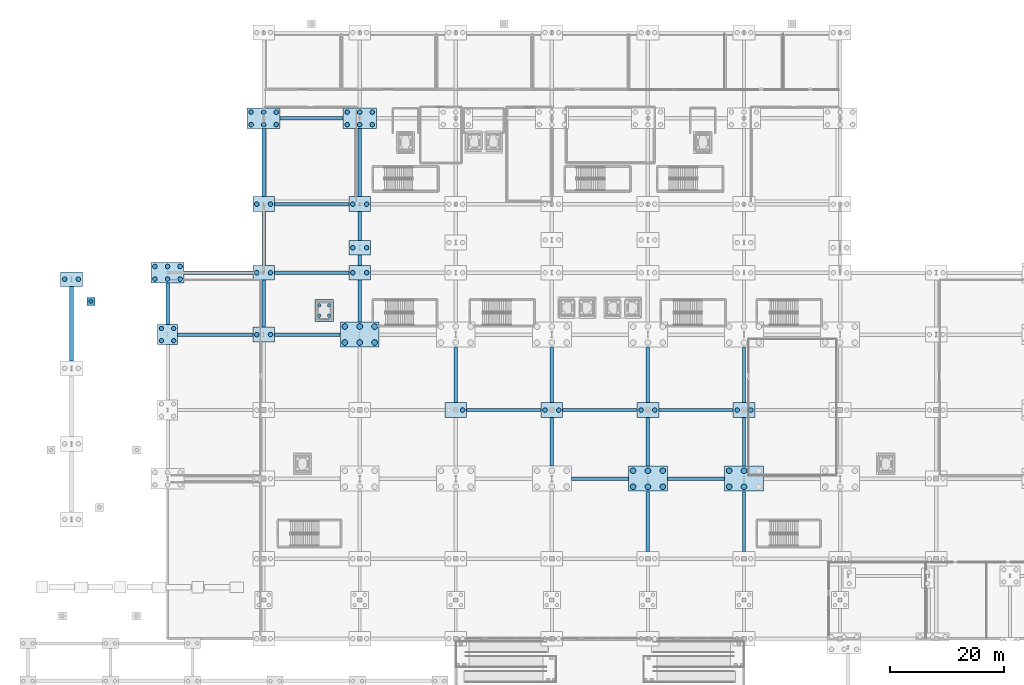
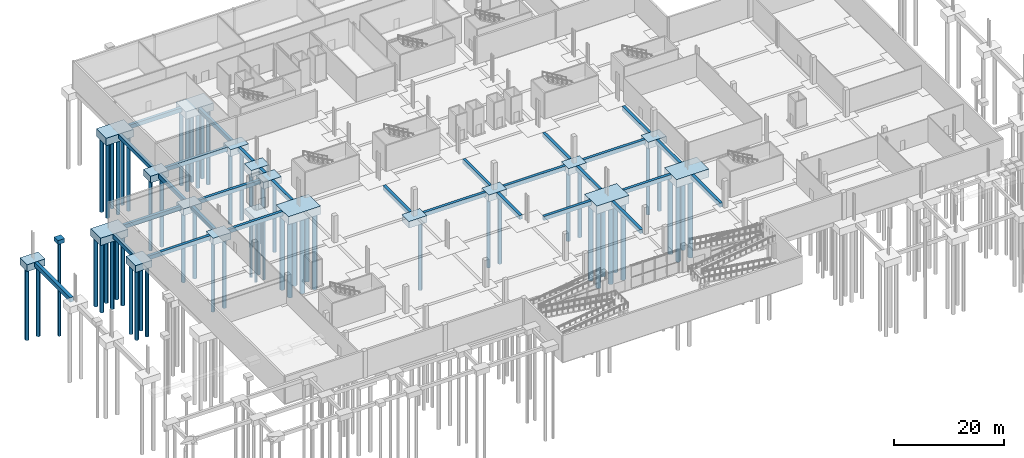
# One storey, part 3 of 46: 64 piles, 49 footings.
"""IFC4 building model written with IfcOpenShell, lengths in metres."""

from ifc_helpers import new_model, si_unit, direction, frame, origin, origin_2d, place, context, subcontext, project, spatial, rectangle, circle, extrude, material, material_profile, profile_set, type_object, element, save


model = new_model("IFC4")

# Units and contexts
model_context = context("Model", 3, precision=1e-05, world=origin(), true_north=direction((0.0, 1.0)))
body_context = subcontext(model_context, "Body", "Model", "MODEL_VIEW")
ifc_project = project(units=[si_unit("LENGTHUNIT", "METRE"), si_unit("AREAUNIT", "SQUARE_METRE"), si_unit("VOLUMEUNIT", "CUBIC_METRE"), si_unit("PLANEANGLEUNIT", "RADIAN"), si_unit("MASSUNIT", "GRAM", prefix="KILO")], contexts=[model_context])

# Site, building, storey
site_placement = place(None, origin())
site = spatial("IfcSite", under=ifc_project, at=site_placement, CompositionType="ELEMENT")
building_placement = place(site_placement, origin())
building = spatial("IfcBuilding", under=site, at=building_placement, Name="Kimbaza Rail Terminus", CompositionType="ELEMENT")
storey_placement = place(building_placement, frame((0.0, 0.0, -6.0)))
storey = spatial("IfcBuildingStorey", under=building, at=storey_placement, Name="B1", CompositionType="ELEMENT", Elevation=-6.0)

# Footings
ifc_material_1 = material(Name="Concrete C40/50", Category="concrete")
ifc_material_profile_1 = material_profile(ifc_material_1, rectangle(XDim=0.60009765625, YDim=0.89990234375, at=origin_2d()), Name="GB-01 600x900")
ifc_profile_set_1 = profile_set([ifc_material_profile_1], Name="Concrete C40/50")
footing_type_1 = type_object("IfcFootingType", Name="STR-GB-01", PredefinedType="FOOTING_BEAM", material=ifc_profile_set_1)
footing_1_placement = place(storey_placement, frame((57.10205078125, 103.0, -0.449951171875), z_axis=(1.0, 0.0, 0.0), x_axis=(0.0, 1.0, 0.0)))
element("IfcFooting", 1, at=footing_1_placement, inside=storey, type_object=footing_type_1, Name="Ground Tie Beam GB-V5X-0-0", PredefinedType="FOOTING_BEAM", context=body_context, shape_type="SweptSolid", body=[
    extrude(rectangle(XDim=0.60009765625, YDim=0.89990234375, at=origin_2d()), origin(), (0.0, 0.0, 1.0), 12.995849609375),
])
footing_2_placement = place(storey_placement, frame((55.199951171875, 104.302001953125, -0.449951171875), z_axis=(0.0, 1.0, 0.0), x_axis=(-1.0, 0.0, 0.0)))
element("IfcFooting", 2, at=footing_2_placement, inside=storey, type_object=footing_type_1, Name="Ground Tie Beam GB-V5Y-0-0", PredefinedType="FOOTING_BEAM", context=body_context, shape_type="SweptSolid", body=[
    extrude(rectangle(XDim=0.60009765625, YDim=0.89990234375, at=origin_2d()), origin(), (0.0, 0.0, 1.0), 11.89599609375),
])
footing_3_placement = place(storey_placement, frame((58.10205078125, 118.0, -0.449951171875), z_axis=(1.0, 0.0, 0.0), x_axis=(0.0, 1.0, 0.0)))
element("IfcFooting", 3, at=footing_3_placement, inside=storey, type_object=footing_type_1, Name="Ground Tie Beam GB-V5X-0-1", PredefinedType="FOOTING_BEAM", context=body_context, shape_type="SweptSolid", body=[
    extrude(rectangle(XDim=0.60009765625, YDim=0.89990234375, at=origin_2d()), origin(), (0.0, 0.0, 1.0), 10.995849609375),
])
footing_4_placement = place(storey_placement, frame((72.0, 104.302001953125, -0.449951171875), z_axis=(0.0, 1.0, 0.0), x_axis=(-1.0, 0.0, 0.0)))
element("IfcFooting", 4, at=footing_4_placement, inside=storey, type_object=footing_type_1, Name="Ground Tie Beam GB-V5Y-1-0", PredefinedType="FOOTING_BEAM", context=body_context, shape_type="SweptSolid", body=[
    extrude(rectangle(XDim=0.60009765625, YDim=0.89990234375, at=origin_2d()), origin(), (0.0, 0.0, 1.0), 11.89599609375),
])
footing_5_placement = place(storey_placement, frame((40.152099609375, 80.199951171875, -0.449951171875), z_axis=(1.0, 0.0, 0.0), x_axis=(0.0, 1.0, 0.0)))
element("IfcFooting", 5, at=footing_5_placement, inside=storey, type_object=footing_type_1, Name="Ground Tie Beam GB-V2X-0-4", PredefinedType="FOOTING_BEAM", context=body_context, shape_type="SweptSolid", body=[
    extrude(rectangle(XDim=0.60009765625, YDim=0.89990234375, at=origin_2d()), origin(), (0.0, 0.0, 1.0), 13.14599609375),
])
footing_6_placement = place(storey_placement, frame((38.39990234375, 81.951904296875, -0.449951171875), z_axis=(0.0, 1.0, 0.0), x_axis=(-1.0, 0.0, 0.0)))
element("IfcFooting", 6, at=footing_6_placement, inside=storey, type_object=footing_type_1, Name="Ground Tie Beam GB-V2Y-0-4", PredefinedType="FOOTING_BEAM", context=body_context, shape_type="SweptSolid", body=[
    extrude(rectangle(XDim=0.60009765625, YDim=0.89990234375, at=origin_2d()), origin(), (0.0, 0.0, 1.0), 7.24609375),
])
footing_7_placement = place(storey_placement, frame((41.302001953125, 91.0, -0.449951171875), z_axis=(1.0, 0.0, 0.0), x_axis=(0.0, 1.0, 0.0)))
element("IfcFooting", 7, at=footing_7_placement, inside=storey, type_object=footing_type_1, Name="Ground Tie Beam GB-V2X-0-5", PredefinedType="FOOTING_BEAM", context=body_context, shape_type="SweptSolid", body=[
    extrude(rectangle(XDim=0.60009765625, YDim=0.89990234375, at=origin_2d()), origin(), (0.0, 0.0, 1.0), 11.99609375),
])
footing_8_placement = place(storey_placement, frame((57.10205078125, 80.199951171875, -0.449951171875), z_axis=(1.0, 0.0, 0.0), x_axis=(0.0, 1.0, 0.0)))
element("IfcFooting", 8, at=footing_8_placement, inside=storey, type_object=footing_type_1, Name="Ground Tie Beam GB-V2X-1-4", PredefinedType="FOOTING_BEAM", context=body_context, shape_type="SweptSolid", body=[
    extrude(rectangle(XDim=0.60009765625, YDim=0.89990234375, at=origin_2d()), origin(), (0.0, 0.0, 1.0), 11.495849609375),
])
footing_9_placement = place(storey_placement, frame((55.199951171875, 81.501953125, -0.449951171875), z_axis=(0.0, 1.0, 0.0), x_axis=(-1.0, 0.0, 0.0)))
element("IfcFooting", 9, at=footing_9_placement, inside=storey, type_object=footing_type_1, Name="Ground Tie Beam GB-V2Y-1-4", PredefinedType="FOOTING_BEAM", context=body_context, shape_type="SweptSolid", body=[
    extrude(rectangle(XDim=0.60009765625, YDim=0.89990234375, at=origin_2d()), origin(), (0.0, 0.0, 1.0), 8.196044921875),
])
footing_10_placement = place(storey_placement, frame((57.10205078125, 91.0, -0.449951171875), z_axis=(1.0, 0.0, 0.0), x_axis=(0.0, 1.0, 0.0)))
element("IfcFooting", 10, at=footing_10_placement, inside=storey, type_object=footing_type_1, Name="Ground Tie Beam GB-V2X-1-5", PredefinedType="FOOTING_BEAM", context=body_context, shape_type="SweptSolid", body=[
    extrude(rectangle(XDim=0.60009765625, YDim=0.89990234375, at=origin_2d()), origin(), (0.0, 0.0, 1.0), 12.995849609375),
])
footing_11_placement = place(storey_placement, frame((55.199951171875, 92.302001953125, -0.449951171875), z_axis=(0.0, 1.0, 0.0), x_axis=(-1.0, 0.0, 0.0)))
element("IfcFooting", 11, at=footing_11_placement, inside=storey, type_object=footing_type_1, Name="Ground Tie Beam GB-V2Y-1-5", PredefinedType="FOOTING_BEAM", context=body_context, shape_type="SweptSolid", body=[
    extrude(rectangle(XDim=0.60009765625, YDim=0.89990234375, at=origin_2d()), origin(), (0.0, 0.0, 1.0), 9.39599609375),
])
footing_12_placement = place(storey_placement, frame((72.0, 82.402099609375, -0.449951171875), z_axis=(0.0, 1.0, 0.0), x_axis=(-1.0, 0.0, 0.0)))
element("IfcFooting", 12, at=footing_12_placement, inside=storey, type_object=footing_type_1, Name="Ground Tie Beam GB-V2Y-2-4", PredefinedType="FOOTING_BEAM", context=body_context, shape_type="SweptSolid", body=[
    extrude(rectangle(XDim=0.60009765625, YDim=0.89990234375, at=origin_2d()), origin(), (0.0, 0.0, 1.0), 7.2958984375),
])
footing_13_placement = place(storey_placement, frame((90.701904296875, 67.0, -0.449951171875), z_axis=(1.0, 0.0, 0.0), x_axis=(0.0, 1.0, 0.0)))
element("IfcFooting", 13, at=footing_13_placement, inside=storey, type_object=footing_type_1, Name="Ground Tie Beam GB-V2X-3-3", PredefinedType="FOOTING_BEAM", context=body_context, shape_type="SweptSolid", body=[
    extrude(rectangle(XDim=0.60009765625, YDim=0.89990234375, at=origin_2d()), origin(), (0.0, 0.0, 1.0), 12.99609375),
])
footing_14_placement = place(storey_placement, frame((88.800048828125, 68.302001953125, -0.449951171875), z_axis=(0.0, 1.0, 0.0), x_axis=(-1.0, 0.0, 0.0)))
element("IfcFooting", 14, at=footing_14_placement, inside=storey, type_object=footing_type_1, Name="Ground Tie Beam GB-V2Y-3-3", PredefinedType="FOOTING_BEAM", context=body_context, shape_type="SweptSolid", body=[
    extrude(rectangle(XDim=0.60009765625, YDim=0.89990234375, at=origin_2d()), origin(), (0.0, 0.0, 1.0), 9.696044921875),
])
footing_15_placement = place(storey_placement, frame((109.001953125, 55.0, -0.449951171875), z_axis=(1.0, 0.0, 0.0), x_axis=(0.0, 1.0, 0.0)))
element("IfcFooting", 15, at=footing_15_placement, inside=storey, type_object=footing_type_1, Name="Ground Tie Beam GB-V2X-4-2", PredefinedType="FOOTING_BEAM", context=body_context, shape_type="SweptSolid", body=[
    extrude(rectangle(XDim=0.60009765625, YDim=0.89990234375, at=origin_2d()), origin(), (0.0, 0.0, 1.0), 9.99609375),
])
footing_16_placement = place(storey_placement, frame((105.60009765625, 57.201904296875, -0.449951171875), z_axis=(0.0, 1.0, 0.0), x_axis=(-1.0, 0.0, 0.0)))
element("IfcFooting", 16, at=footing_16_placement, inside=storey, type_object=footing_type_1, Name="Ground Tie Beam GB-V2Y-4-2", PredefinedType="FOOTING_BEAM", context=body_context, shape_type="SweptSolid", body=[
    extrude(rectangle(XDim=0.60009765625, YDim=0.89990234375, at=origin_2d()), origin(), (0.0, 0.0, 1.0), 8.49609375),
])
footing_17_placement = place(storey_placement, frame((107.501953125, 67.0, -0.449951171875), z_axis=(1.0, 0.0, 0.0), x_axis=(0.0, 1.0, 0.0)))
element("IfcFooting", 17, at=footing_17_placement, inside=storey, type_object=footing_type_1, Name="Ground Tie Beam GB-V2X-4-3", PredefinedType="FOOTING_BEAM", context=body_context, shape_type="SweptSolid", body=[
    extrude(rectangle(XDim=0.60009765625, YDim=0.89990234375, at=origin_2d()), origin(), (0.0, 0.0, 1.0), 12.99609375),
])
footing_18_placement = place(storey_placement, frame((105.60009765625, 68.302001953125, -0.449951171875), z_axis=(0.0, 1.0, 0.0), x_axis=(-1.0, 0.0, 0.0)))
element("IfcFooting", 18, at=footing_18_placement, inside=storey, type_object=footing_type_1, Name="Ground Tie Beam GB-V2Y-4-3", PredefinedType="FOOTING_BEAM", context=body_context, shape_type="SweptSolid", body=[
    extrude(rectangle(XDim=0.60009765625, YDim=0.89990234375, at=origin_2d()), origin(), (0.0, 0.0, 1.0), 9.696044921875),
])
footing_19_placement = place(storey_placement, frame((122.39990234375, 42.302001953125, -0.449951171875), z_axis=(0.0, 1.0, 0.0), x_axis=(-1.0, 0.0, 0.0)))
element("IfcFooting", 19, at=footing_19_placement, inside=storey, type_object=footing_type_1, Name="Ground Tie Beam GB-V2Y-5-1", PredefinedType="FOOTING_BEAM", context=body_context, shape_type="SweptSolid", body=[
    extrude(rectangle(XDim=0.60009765625, YDim=0.89990234375, at=origin_2d()), origin(), (0.0, 0.0, 1.0), 10.49609375),
])
footing_20_placement = place(storey_placement, frame((125.802001953125, 55.0, -0.449951171875), z_axis=(1.0, 0.0, 0.0), x_axis=(0.0, 1.0, 0.0)))
element("IfcFooting", 20, at=footing_20_placement, inside=storey, type_object=footing_type_1, Name="Ground Tie Beam GB-V2X-5-2", PredefinedType="FOOTING_BEAM", context=body_context, shape_type="SweptSolid", body=[
    extrude(rectangle(XDim=0.60009765625, YDim=0.89990234375, at=origin_2d()), origin(), (0.0, 0.0, 1.0), 9.99609375),
])
footing_21_placement = place(storey_placement, frame((122.39990234375, 57.201904296875, -0.449951171875), z_axis=(0.0, 1.0, 0.0), x_axis=(-1.0, 0.0, 0.0)))
element("IfcFooting", 21, at=footing_21_placement, inside=storey, type_object=footing_type_1, Name="Ground Tie Beam GB-V2Y-5-2", PredefinedType="FOOTING_BEAM", context=body_context, shape_type="SweptSolid", body=[
    extrude(rectangle(XDim=0.60009765625, YDim=0.89990234375, at=origin_2d()), origin(), (0.0, 0.0, 1.0), 8.49609375),
])
footing_22_placement = place(storey_placement, frame((124.302001953125, 67.0, -0.449951171875), z_axis=(1.0, 0.0, 0.0), x_axis=(0.0, 1.0, 0.0)))
element("IfcFooting", 22, at=footing_22_placement, inside=storey, type_object=footing_type_1, Name="Ground Tie Beam GB-V2X-5-3", PredefinedType="FOOTING_BEAM", context=body_context, shape_type="SweptSolid", body=[
    extrude(rectangle(XDim=0.60009765625, YDim=0.89990234375, at=origin_2d()), origin(), (0.0, 0.0, 1.0), 12.99609375),
])
footing_23_placement = place(storey_placement, frame((122.39990234375, 68.302001953125, -0.449951171875), z_axis=(0.0, 1.0, 0.0), x_axis=(-1.0, 0.0, 0.0)))
element("IfcFooting", 23, at=footing_23_placement, inside=storey, type_object=footing_type_1, Name="Ground Tie Beam GB-V2Y-5-3", PredefinedType="FOOTING_BEAM", context=body_context, shape_type="SweptSolid", body=[
    extrude(rectangle(XDim=0.60009765625, YDim=0.89990234375, at=origin_2d()), origin(), (0.0, 0.0, 1.0), 9.696044921875),
])
footing_24_placement = place(storey_placement, frame((139.199951171875, 42.302001953125, -0.449951171875), z_axis=(0.0, 1.0, 0.0), x_axis=(-1.0, 0.0, 0.0)))
element("IfcFooting", 24, at=footing_24_placement, inside=storey, type_object=footing_type_1, Name="Ground Tie Beam GB-V2Y-6-1", PredefinedType="FOOTING_BEAM", context=body_context, shape_type="SweptSolid", body=[
    extrude(rectangle(XDim=0.60009765625, YDim=0.89990234375, at=origin_2d()), origin(), (0.0, 0.0, 1.0), 10.49609375),
])
footing_25_placement = place(storey_placement, frame((139.199951171875, 57.201904296875, -0.449951171875), z_axis=(0.0, 1.0, 0.0), x_axis=(-1.0, 0.0, 0.0)))
element("IfcFooting", 25, at=footing_25_placement, inside=storey, type_object=footing_type_1, Name="Ground Tie Beam GB-V2Y-6-2", PredefinedType="FOOTING_BEAM", context=body_context, shape_type="SweptSolid", body=[
    extrude(rectangle(XDim=0.60009765625, YDim=0.89990234375, at=origin_2d()), origin(), (0.0, 0.0, 1.0), 8.49609375),
])
footing_26_placement = place(storey_placement, frame((139.199951171875, 68.302001953125, -0.449951171875), z_axis=(0.0, 1.0, 0.0), x_axis=(-1.0, 0.0, 0.0)))
element("IfcFooting", 26, at=footing_26_placement, inside=storey, type_object=footing_type_1, Name="Ground Tie Beam GB-V2Y-6-3", PredefinedType="FOOTING_BEAM", context=body_context, shape_type="SweptSolid", body=[
    extrude(rectangle(XDim=0.60009765625, YDim=0.89990234375, at=origin_2d()), origin(), (0.0, 0.0, 1.0), 9.696044921875),
])
footing_27_placement = place(storey_placement, frame((72.0, 92.302001953125, -0.449951171875), z_axis=(0.0, 1.0, 0.0), x_axis=(-1.0, 0.0, 0.0)))
element("IfcFooting", 27, at=footing_27_placement, inside=storey, type_object=footing_type_1, Name="Ground Tie Beam GB-VSPN-3", PredefinedType="FOOTING_BEAM", context=body_context, shape_type="SweptSolid", body=[
    extrude(rectangle(XDim=0.60009765625, YDim=0.89990234375, at=origin_2d()), origin(), (0.0, 0.0, 1.0), 1.771728515625),
])
footing_28_placement = place(storey_placement, frame((72.0, 96.677734375, -0.449951171875), z_axis=(0.0, 1.0, 0.0), x_axis=(-1.0, 0.0, 0.0)))
element("IfcFooting", 28, at=footing_28_placement, inside=storey, type_object=footing_type_1, Name="Ground Tie Beam GB-VSPN2-3", PredefinedType="FOOTING_BEAM", context=body_context, shape_type="SweptSolid", body=[
    extrude(rectangle(XDim=0.60009765625, YDim=0.89990234375, at=origin_2d()), origin(), (0.0, 0.0, 1.0), 5.020263671875),
])
ifc_material_2 = material(Name="Concrete C40/50", Category="concrete")
ifc_material_profile_2 = material_profile(ifc_material_2, rectangle(XDim=0.699951171875, YDim=1.0, at=origin_2d()), Name="GB-03 700x1000")
ifc_profile_set_2 = profile_set([ifc_material_profile_2], Name="Concrete C40/50")
footing_type_2 = type_object("IfcFootingType", Name="STR-GB-03", PredefinedType="FOOTING_BEAM", material=ifc_profile_set_2)
footing_29_placement = place(storey_placement, frame((21.60009765625, 75.577880859375, -0.5), z_axis=(0.0, 1.0, 0.0), x_axis=(-1.0, 0.0, 0.0)))
element("IfcFooting", 29, at=footing_29_placement, inside=storey, type_object=footing_type_2, Name="Ground Tie Beam GB-VDY-0-2", PredefinedType="FOOTING_BEAM", context=body_context, shape_type="SweptSolid", body=[
    extrude(rectangle(XDim=0.699951171875, YDim=1.0, at=origin_2d()), origin(), (0.0, 0.0, 1.0), 12.99609375),
])
ifc_material_3 = material(Name="Concrete C40/50", Category="concrete")
footing_type_3 = type_object("IfcFootingType", Name="STR-PC-03", PredefinedType="PILE_CAP", material=ifc_material_3)
footing_30_placement = place(storey_placement, frame((38.39990234375, 80.199951171875, -1.5), z_axis=(0.0, 0.0, 1.0), x_axis=(1.0, 0.0, 0.0)))
element("IfcFooting", 30, at=footing_30_placement, inside=storey, type_object=footing_type_3, Name="Pile Cap PC-03 at (38.4,80.2)", PredefinedType="PILE_CAP", context=body_context, shape_type="SweptSolid", body=[
    extrude(rectangle(XDim=3.5, YDim=3.5, at=origin_2d()), origin(), (0.0, 0.0, 1.0), 1.5),
])
ifc_material_4 = material(Name="Concrete C40/50", Category="concrete")
footing_type_4 = type_object("IfcFootingType", Name="STR-PC-04", PredefinedType="PILE_CAP", material=ifc_material_4)
for number, where, z_axis, x_axis, name in (
    (31, (55.199951171875, 103.0, -1.5), (0.0, 0.0, 1.0), (1.0, 0.0, 0.0), "Pile Cap PC-04 at (55.2,103.0)"),
    (32, (72.0, 103.0, -1.5), (0.0, 0.0, 1.0), (1.0, 0.0, 0.0), "Pile Cap PC-04 at (72.0,103.0)"),
    (33, (88.800048828125, 67.0, -1.5), (0.0, 0.0, 1.0), (1.0, 0.0, 0.0), "Pile Cap PC-04 at (88.8,67.0)"),
    (34, (105.60009765625, 67.0, -1.5), (0.0, 0.0, 1.0), (1.0, 0.0, 0.0), "Pile Cap PC-04 at (105.6,67.0)"),
    (35, (122.39990234375, 67.0, -1.5), (0.0, 0.0, 1.0), (1.0, 0.0, 0.0), "Pile Cap PC-04 at (122.4,67.0)"),
    (36, (139.199951171875, 67.0, -1.5), (0.0, 0.0, 1.0), (1.0, 0.0, 0.0), "Pile Cap PC-04 at (139.2,67.0)"),
    (37, (55.199951171875, 80.199951171875, -1.5), (0.0, 0.0, 1.0), (1.0, 0.0, 0.0), "Pile Cap PC-04 at (55.2,80.2)"),
    (38, (55.199951171875, 91.0, -1.5), (0.0, 0.0, 1.0), (1.0, 0.0, 0.0), "Pile Cap PC-04 at (55.2,91.0)"),
    (39, (72.0, 91.0, -1.5), (0.0, 0.0, 1.0), (1.0, 0.0, 0.0), "Pile Cap PC-04 at (72.0,91.0)"),
    (40, (21.60009765625, 89.8759765625, -1.5), (0.0, 0.0, 1.0), (1.0, 0.0, 0.0), "Pile Cap PC-04 at (21.6,89.9)"),
    (41, (72.0, 95.375732421875, -1.5), (0.0, 0.0, 1.0), (1.0, 0.0, 0.0), "Pile Cap PC-04 at (72.0,95.4)"),
):
    element("IfcFooting", number, at=place(storey_placement, frame(where, z_axis=z_axis, x_axis=x_axis)), inside=storey, type_object=footing_type_4, Name=name, PredefinedType="PILE_CAP", context=body_context, shape_type="SweptSolid", body=[
        extrude(rectangle(XDim=3.800048828125, YDim=2.60009765625, at=origin_2d()), origin(), (0.0, 0.0, 1.0), 1.5),
    ])
ifc_material_5 = material(Name="Concrete C40/50", Category="concrete")
footing_type_5 = type_object("IfcFootingType", Name="STR-PC-05", PredefinedType="PILE_CAP", material=ifc_material_5)
for number, where, z_axis, x_axis, name in (
    (42, (55.199951171875, 118.0, -1.64990234375), (0.0, 0.0, 1.0), (1.0, 0.0, 0.0), "Pile Cap PC-05 at (55.2,118.0)"),
    (43, (72.0, 118.0, -1.64990234375), (0.0, 0.0, 1.0), (1.0, 0.0, 0.0), "Pile Cap PC-05 at (72.0,118.0)"),
    (44, (38.39990234375, 91.0, -1.64990234375), (0.0, 0.0, 1.0), (1.0, 0.0, 0.0), "Pile Cap PC-05 at (38.4,91.0)"),
):
    element("IfcFooting", number, at=place(storey_placement, frame(where, z_axis=z_axis, x_axis=x_axis)), inside=storey, type_object=footing_type_5, Name=name, PredefinedType="PILE_CAP", context=body_context, shape_type="SweptSolid", body=[
        extrude(rectangle(XDim=5.800048828125, YDim=3.60009765625, at=origin_2d()), origin(), (0.0, 0.0, 1.0), 1.64990234375),
    ])
ifc_material_6 = material(Name="Concrete C40/50", Category="concrete")
footing_type_6 = type_object("IfcFootingType", Name="STR-PC-06", PredefinedType="PILE_CAP", material=ifc_material_6)
for number, where, z_axis, x_axis, name in (
    (45, (122.39990234375, 55.0, -1.7998046875), (0.0, 0.0, 1.0), (1.0, 0.0, 0.0), "Pile Cap PC-06 at (122.4,55.0)"),
    (46, (139.199951171875, 55.0, -1.7998046875), (0.0, 0.0, 1.0), (1.0, 0.0, 0.0), "Pile Cap PC-06 at (139.2,55.0)"),
    (47, (72.0, 80.199951171875, -1.7998046875), (0.0, 0.0, 1.0), (1.0, 0.0, 0.0), "Pile Cap PC-06 at (72.0,80.2)"),
):
    element("IfcFooting", number, at=place(storey_placement, frame(where, z_axis=z_axis, x_axis=x_axis)), inside=storey, type_object=footing_type_6, Name=name, PredefinedType="PILE_CAP", context=body_context, shape_type="SweptSolid", body=[
        extrude(rectangle(XDim=6.800048828125, YDim=4.39990234375, at=origin_2d()), origin(), (0.0, 0.0, 1.0), 1.800048828125),
    ])
ifc_material_7 = material(Name="Concrete C40/50", Category="concrete")
footing_type_7 = type_object("IfcFootingType", Name="STR-PC-09", PredefinedType="PILE_CAP", material=ifc_material_7)
footing_31_placement = place(storey_placement, frame((25.0, 86.0, 4.85009765625), z_axis=(0.0, 0.0, 1.0), x_axis=(1.0, 0.0, 0.0)))
element("IfcFooting", 48, at=footing_31_placement, inside=storey, type_object=footing_type_7, Name="Pile Cap PC-09 at (25.0,86.0)", PredefinedType="PILE_CAP", context=body_context, shape_type="SweptSolid", body=[
    extrude(rectangle(XDim=1.39990234375, YDim=1.39990234375, at=origin_2d()), origin(), (0.0, 0.0, 1.0), 0.89990234375),
])
ifc_material_8 = material(Name="Concrete C40/50", Category="concrete")
footing_type_8 = type_object("IfcFootingType", Name="STR-PC-11", PredefinedType="PILE_CAP", material=ifc_material_8)
footing_32_placement = place(storey_placement, frame((65.800048828125, 84.39990234375, -2.85009765625), z_axis=(0.0, 0.0, 1.0), x_axis=(1.0, 0.0, 0.0)))
element("IfcFooting", 49, at=footing_32_placement, inside=storey, type_object=footing_type_8, Name="Pile Cap PC-11 at (65.8,84.4)", PredefinedType="PILE_CAP", context=body_context, shape_type="SweptSolid", body=[
    extrude(rectangle(XDim=3.199951171875, YDim=3.800048828125, at=origin_2d()), origin(), (0.0, 0.0, 1.0), 1.199951171875),
])

# Piles
ifc_material_9 = material(Name="Concrete C35/45", Category="concrete")
ifc_material_profile_3 = material_profile(ifc_material_9, circle(Radius=0.5, at=origin_2d()), Name="BORED PILE 1000")
ifc_profile_set_3 = profile_set([ifc_material_profile_3], Name="Concrete C35/45")
pile_type_1 = type_object("IfcPileType", Name="STR-PILE-1000", PredefinedType="BORED", material=ifc_profile_set_3)
for number, where, z_axis, x_axis, name in (
    (50, (119.800048828125, 53.60009765625, -1.699951171875), (0.0, 0.0, -1.0), (1.0, 0.0, 0.0), "Bored Pile 1000 #1"),
    (51, (122.39990234375, 53.60009765625, -1.699951171875), (0.0, 0.0, -1.0), (1.0, 0.0, 0.0), "Bored Pile 1000 #2"),
    (52, (125.0, 53.60009765625, -1.699951171875), (0.0, 0.0, -1.0), (1.0, 0.0, 0.0), "Bored Pile 1000 #3"),
    (53, (119.800048828125, 56.39990234375, -1.699951171875), (0.0, 0.0, -1.0), (1.0, 0.0, 0.0), "Bored Pile 1000 #4"),
    (54, (122.39990234375, 56.39990234375, -1.699951171875), (0.0, 0.0, -1.0), (1.0, 0.0, 0.0), "Bored Pile 1000 #5"),
    (55, (125.0, 56.39990234375, -1.699951171875), (0.0, 0.0, -1.0), (1.0, 0.0, 0.0), "Bored Pile 1000 #6"),
    (56, (136.60009765625, 53.60009765625, -1.699951171875), (0.0, 0.0, -1.0), (1.0, 0.0, 0.0), "Bored Pile 1000 #1"),
    (57, (139.199951171875, 53.60009765625, -1.699951171875), (0.0, 0.0, -1.0), (1.0, 0.0, 0.0), "Bored Pile 1000 #2"),
    (58, (136.60009765625, 56.39990234375, -1.699951171875), (0.0, 0.0, -1.0), (1.0, 0.0, 0.0), "Bored Pile 1000 #4"),
    (59, (139.199951171875, 56.39990234375, -1.699951171875), (0.0, 0.0, -1.0), (1.0, 0.0, 0.0), "Bored Pile 1000 #5"),
):
    element("IfcPile", number, at=place(storey_placement, frame(where, z_axis=z_axis, x_axis=x_axis)), inside=storey, type_object=pile_type_1, Name=name, PredefinedType="BORED", context=body_context, shape_type="SweptSolid", body=[
        extrude(circle(Radius=0.5, at=origin_2d()), origin(), (0.0, 0.0, 1.0), 17.10009765625),
    ])
for number, where, z_axis, x_axis, name in (
    (60, (69.39990234375, 78.800048828125, -1.699951171875), (0.0, 0.0, -1.0), (1.0, 0.0, 0.0), "Bored Pile 1000 #1"),
    (61, (72.0, 78.800048828125, -1.699951171875), (0.0, 0.0, -1.0), (1.0, 0.0, 0.0), "Bored Pile 1000 #2"),
    (62, (74.60009765625, 78.800048828125, -1.699951171875), (0.0, 0.0, -1.0), (1.0, 0.0, 0.0), "Bored Pile 1000 #3"),
    (63, (69.39990234375, 81.60009765625, -1.699951171875), (0.0, 0.0, -1.0), (1.0, 0.0, 0.0), "Bored Pile 1000 #4"),
    (64, (72.0, 81.60009765625, -1.699951171875), (0.0, 0.0, -1.0), (1.0, 0.0, 0.0), "Bored Pile 1000 #5"),
    (65, (74.60009765625, 81.60009765625, -1.699951171875), (0.0, 0.0, -1.0), (1.0, 0.0, 0.0), "Bored Pile 1000 #6"),
):
    element("IfcPile", number, at=place(storey_placement, frame(where, z_axis=z_axis, x_axis=x_axis)), inside=storey, type_object=pile_type_1, Name=name, PredefinedType="BORED", context=body_context, shape_type="SweptSolid", body=[
        extrude(circle(Radius=0.5, at=origin_2d()), origin(), (0.0, 0.0, 1.0), 16.800048828125),
    ])
ifc_material_10 = material(Name="Concrete C35/45", Category="concrete")
ifc_material_profile_4 = material_profile(ifc_material_10, circle(Radius=0.300048828125, at=origin_2d()), Name="BORED PILE 600")
ifc_profile_set_4 = profile_set([ifc_material_profile_4], Name="Concrete C35/45")
pile_type_2 = type_object("IfcPileType", Name="STR-PILE-600", PredefinedType="BORED", material=ifc_profile_set_4)
for number, where, z_axis, x_axis, name in (
    (66, (64.949951171875, 83.5, -2.75), (0.0, 0.0, -1.0), (1.0, 0.0, 0.0), "Bored Pile 600 #1"),
    (67, (66.64990234375, 83.5, -2.75), (0.0, 0.0, -1.0), (1.0, 0.0, 0.0), "Bored Pile 600 #2"),
    (68, (64.949951171875, 85.300048828125, -2.75), (0.0, 0.0, -1.0), (1.0, 0.0, 0.0), "Bored Pile 600 #3"),
    (69, (66.64990234375, 85.300048828125, -2.75), (0.0, 0.0, -1.0), (1.0, 0.0, 0.0), "Bored Pile 600 #4"),
):
    element("IfcPile", number, at=place(storey_placement, frame(where, z_axis=z_axis, x_axis=x_axis)), inside=storey, type_object=pile_type_2, Name=name, PredefinedType="BORED", context=body_context, shape_type="SweptSolid", body=[
        extrude(circle(Radius=0.300048828125, at=origin_2d()), origin(), (0.0, 0.0, 1.0), 13.75),
    ])
pile_placement = place(storey_placement, frame((25.0, 86.0, 4.949951171875), z_axis=(0.0, 0.0, -1.0), x_axis=(1.0, 0.0, 0.0)))
element("IfcPile", 70, at=pile_placement, inside=storey, type_object=pile_type_2, Name="Bored Pile 600 #1", PredefinedType="BORED", context=body_context, shape_type="SweptSolid", body=[
    extrude(circle(Radius=0.300048828125, at=origin_2d()), origin(), (0.0, 0.0, 1.0), 20.949951171875),
])
ifc_material_11 = material(Name="Concrete C35/45", Category="concrete")
ifc_material_profile_5 = material_profile(ifc_material_11, circle(Radius=0.375, at=origin_2d()), Name="BORED PILE 750")
ifc_profile_set_5 = profile_set([ifc_material_profile_5], Name="Concrete C35/45")
pile_type_3 = type_object("IfcPileType", Name="STR-PILE-750", PredefinedType="BORED", material=ifc_profile_set_5)
for number, where, z_axis, x_axis, name in (
    (71, (37.324951171875, 79.125, -1.39990234375), (0.0, 0.0, -1.0), (1.0, 0.0, 0.0), "Bored Pile 750 #1"),
    (72, (39.47509765625, 79.125, -1.39990234375), (0.0, 0.0, -1.0), (1.0, 0.0, 0.0), "Bored Pile 750 #2"),
    (73, (37.324951171875, 81.27490234375, -1.39990234375), (0.0, 0.0, -1.0), (1.0, 0.0, 0.0), "Bored Pile 750 #3"),
    (74, (39.47509765625, 81.27490234375, -1.39990234375), (0.0, 0.0, -1.0), (1.0, 0.0, 0.0), "Bored Pile 750 #4"),
):
    element("IfcPile", number, at=place(storey_placement, frame(where, z_axis=z_axis, x_axis=x_axis)), inside=storey, type_object=pile_type_3, Name=name, PredefinedType="BORED", context=body_context, shape_type="SweptSolid", body=[
        extrude(circle(Radius=0.375, at=origin_2d()), origin(), (0.0, 0.0, 1.0), 15.60009765625),
    ])
ifc_material_12 = material(Name="Concrete C35/45", Category="concrete")
ifc_material_profile_6 = material_profile(ifc_material_12, circle(Radius=0.39990234375, at=origin_2d()), Name="BORED PILE 800")
ifc_profile_set_6 = profile_set([ifc_material_profile_6], Name="Concrete C35/45")
pile_type_4 = type_object("IfcPileType", Name="STR-PILE-800", PredefinedType="BORED", material=ifc_profile_set_6)
for number, where, z_axis, x_axis, name in (
    (75, (54.0, 103.0, -1.39990234375), (0.0, 0.0, -1.0), (1.0, 0.0, 0.0), "Bored Pile 800 #1"),
    (76, (56.39990234375, 103.0, -1.39990234375), (0.0, 0.0, -1.0), (1.0, 0.0, 0.0), "Bored Pile 800 #2"),
):
    element("IfcPile", number, at=place(storey_placement, frame(where, z_axis=z_axis, x_axis=x_axis)), inside=storey, type_object=pile_type_4, Name=name, PredefinedType="BORED", context=body_context, shape_type="SweptSolid", body=[
        extrude(circle(Radius=0.39990234375, at=origin_2d()), origin(), (0.0, 0.0, 1.0), 16.0),
    ])
for number, where, z_axis, x_axis, name in (
    (77, (53.0, 116.89990234375, -1.550048828125), (0.0, 0.0, -1.0), (1.0, 0.0, 0.0), "Bored Pile 800 #1"),
    (78, (55.199951171875, 116.89990234375, -1.550048828125), (0.0, 0.0, -1.0), (1.0, 0.0, 0.0), "Bored Pile 800 #2"),
    (79, (57.39990234375, 116.89990234375, -1.550048828125), (0.0, 0.0, -1.0), (1.0, 0.0, 0.0), "Bored Pile 800 #3"),
    (80, (53.0, 119.10009765625, -1.550048828125), (0.0, 0.0, -1.0), (1.0, 0.0, 0.0), "Bored Pile 800 #4"),
    (81, (55.199951171875, 119.10009765625, -1.550048828125), (0.0, 0.0, -1.0), (1.0, 0.0, 0.0), "Bored Pile 800 #5"),
    (82, (57.39990234375, 119.10009765625, -1.550048828125), (0.0, 0.0, -1.0), (1.0, 0.0, 0.0), "Bored Pile 800 #6"),
):
    element("IfcPile", number, at=place(storey_placement, frame(where, z_axis=z_axis, x_axis=x_axis)), inside=storey, type_object=pile_type_4, Name=name, PredefinedType="BORED", context=body_context, shape_type="SweptSolid", body=[
        extrude(circle(Radius=0.39990234375, at=origin_2d()), origin(), (0.0, 0.0, 1.0), 16.64990234375),
    ])
for number, where, z_axis, x_axis, name in (
    (83, (70.800048828125, 103.0, -1.39990234375), (0.0, 0.0, -1.0), (1.0, 0.0, 0.0), "Bored Pile 800 #1"),
    (84, (73.199951171875, 103.0, -1.39990234375), (0.0, 0.0, -1.0), (1.0, 0.0, 0.0), "Bored Pile 800 #2"),
):
    element("IfcPile", number, at=place(storey_placement, frame(where, z_axis=z_axis, x_axis=x_axis)), inside=storey, type_object=pile_type_4, Name=name, PredefinedType="BORED", context=body_context, shape_type="SweptSolid", body=[
        extrude(circle(Radius=0.39990234375, at=origin_2d()), origin(), (0.0, 0.0, 1.0), 16.0),
    ])
for number, where, z_axis, x_axis, name in (
    (85, (69.800048828125, 116.89990234375, -1.550048828125), (0.0, 0.0, -1.0), (1.0, 0.0, 0.0), "Bored Pile 800 #1"),
    (86, (72.0, 116.89990234375, -1.550048828125), (0.0, 0.0, -1.0), (1.0, 0.0, 0.0), "Bored Pile 800 #2"),
    (87, (74.199951171875, 116.89990234375, -1.550048828125), (0.0, 0.0, -1.0), (1.0, 0.0, 0.0), "Bored Pile 800 #3"),
    (88, (69.800048828125, 119.10009765625, -1.550048828125), (0.0, 0.0, -1.0), (1.0, 0.0, 0.0), "Bored Pile 800 #4"),
    (89, (72.0, 119.10009765625, -1.550048828125), (0.0, 0.0, -1.0), (1.0, 0.0, 0.0), "Bored Pile 800 #5"),
    (90, (74.199951171875, 119.10009765625, -1.550048828125), (0.0, 0.0, -1.0), (1.0, 0.0, 0.0), "Bored Pile 800 #6"),
):
    element("IfcPile", number, at=place(storey_placement, frame(where, z_axis=z_axis, x_axis=x_axis)), inside=storey, type_object=pile_type_4, Name=name, PredefinedType="BORED", context=body_context, shape_type="SweptSolid", body=[
        extrude(circle(Radius=0.39990234375, at=origin_2d()), origin(), (0.0, 0.0, 1.0), 16.64990234375),
    ])
for number, where, z_axis, x_axis, name in (
    (91, (90.0, 67.0, -1.39990234375), (0.0, 0.0, -1.0), (1.0, 0.0, 0.0), "Bored Pile 800 #2"),
    (92, (104.39990234375, 67.0, -1.39990234375), (0.0, 0.0, -1.0), (1.0, 0.0, 0.0), "Bored Pile 800 #1"),
    (93, (106.800048828125, 67.0, -1.39990234375), (0.0, 0.0, -1.0), (1.0, 0.0, 0.0), "Bored Pile 800 #2"),
    (94, (121.199951171875, 67.0, -1.39990234375), (0.0, 0.0, -1.0), (1.0, 0.0, 0.0), "Bored Pile 800 #1"),
    (95, (123.60009765625, 67.0, -1.39990234375), (0.0, 0.0, -1.0), (1.0, 0.0, 0.0), "Bored Pile 800 #2"),
    (96, (138.0, 67.0, -1.39990234375), (0.0, 0.0, -1.0), (1.0, 0.0, 0.0), "Bored Pile 800 #1"),
    (97, (140.39990234375, 67.0, -1.39990234375), (0.0, 0.0, -1.0), (1.0, 0.0, 0.0), "Bored Pile 800 #2"),
):
    element("IfcPile", number, at=place(storey_placement, frame(where, z_axis=z_axis, x_axis=x_axis)), inside=storey, type_object=pile_type_4, Name=name, PredefinedType="BORED", context=body_context, shape_type="SweptSolid", body=[
        extrude(circle(Radius=0.39990234375, at=origin_2d()), origin(), (0.0, 0.0, 1.0), 15.60009765625),
    ])
for number, where, z_axis, x_axis, name in (
    (98, (54.0, 80.199951171875, -1.39990234375), (0.0, 0.0, -1.0), (1.0, 0.0, 0.0), "Bored Pile 800 #1"),
    (99, (56.39990234375, 80.199951171875, -1.39990234375), (0.0, 0.0, -1.0), (1.0, 0.0, 0.0), "Bored Pile 800 #2"),
    (100, (54.0, 91.0, -1.39990234375), (0.0, 0.0, -1.0), (1.0, 0.0, 0.0), "Bored Pile 800 #1"),
    (101, (56.39990234375, 91.0, -1.39990234375), (0.0, 0.0, -1.0), (1.0, 0.0, 0.0), "Bored Pile 800 #2"),
    (102, (70.800048828125, 91.0, -1.39990234375), (0.0, 0.0, -1.0), (1.0, 0.0, 0.0), "Bored Pile 800 #1"),
    (103, (73.199951171875, 91.0, -1.39990234375), (0.0, 0.0, -1.0), (1.0, 0.0, 0.0), "Bored Pile 800 #2"),
):
    element("IfcPile", number, at=place(storey_placement, frame(where, z_axis=z_axis, x_axis=x_axis)), inside=storey, type_object=pile_type_4, Name=name, PredefinedType="BORED", context=body_context, shape_type="SweptSolid", body=[
        extrude(circle(Radius=0.39990234375, at=origin_2d()), origin(), (0.0, 0.0, 1.0), 15.800048828125),
    ])
for number, where, z_axis, x_axis, name in (
    (104, (36.199951171875, 89.89990234375, -1.550048828125), (0.0, 0.0, -1.0), (1.0, 0.0, 0.0), "Bored Pile 800 #1"),
    (105, (38.39990234375, 89.89990234375, -1.550048828125), (0.0, 0.0, -1.0), (1.0, 0.0, 0.0), "Bored Pile 800 #2"),
    (106, (40.60009765625, 89.89990234375, -1.550048828125), (0.0, 0.0, -1.0), (1.0, 0.0, 0.0), "Bored Pile 800 #3"),
    (107, (36.199951171875, 92.10009765625, -1.550048828125), (0.0, 0.0, -1.0), (1.0, 0.0, 0.0), "Bored Pile 800 #4"),
    (108, (38.39990234375, 92.10009765625, -1.550048828125), (0.0, 0.0, -1.0), (1.0, 0.0, 0.0), "Bored Pile 800 #5"),
    (109, (40.60009765625, 92.10009765625, -1.550048828125), (0.0, 0.0, -1.0), (1.0, 0.0, 0.0), "Bored Pile 800 #6"),
):
    element("IfcPile", number, at=place(storey_placement, frame(where, z_axis=z_axis, x_axis=x_axis)), inside=storey, type_object=pile_type_4, Name=name, PredefinedType="BORED", context=body_context, shape_type="SweptSolid", body=[
        extrude(circle(Radius=0.39990234375, at=origin_2d()), origin(), (0.0, 0.0, 1.0), 15.449951171875),
    ])
for number, where, z_axis, x_axis, name in (
    (110, (20.39990234375, 89.8759765625, -1.39990234375), (0.0, 0.0, -1.0), (1.0, 0.0, 0.0), "Bored Pile 800 #1"),
    (111, (22.800048828125, 89.8759765625, -1.39990234375), (0.0, 0.0, -1.0), (1.0, 0.0, 0.0), "Bored Pile 800 #2"),
):
    element("IfcPile", number, at=place(storey_placement, frame(where, z_axis=z_axis, x_axis=x_axis)), inside=storey, type_object=pile_type_4, Name=name, PredefinedType="BORED", context=body_context, shape_type="SweptSolid", body=[
        extrude(circle(Radius=0.39990234375, at=origin_2d()), origin(), (0.0, 0.0, 1.0), 16.199951171875),
    ])
for number, where, z_axis, x_axis, name in (
    (112, (70.800048828125, 95.375732421875, -1.39990234375), (0.0, 0.0, -1.0), (1.0, 0.0, 0.0), "Bored Pile 800 #1"),
    (113, (73.199951171875, 95.375732421875, -1.39990234375), (0.0, 0.0, -1.0), (1.0, 0.0, 0.0), "Bored Pile 800 #2"),
):
    element("IfcPile", number, at=place(storey_placement, frame(where, z_axis=z_axis, x_axis=x_axis)), inside=storey, type_object=pile_type_4, Name=name, PredefinedType="BORED", context=body_context, shape_type="SweptSolid", body=[
        extrude(circle(Radius=0.39990234375, at=origin_2d()), origin(), (0.0, 0.0, 1.0), 16.60009765625),
    ])

save(model, "model.ifc")
